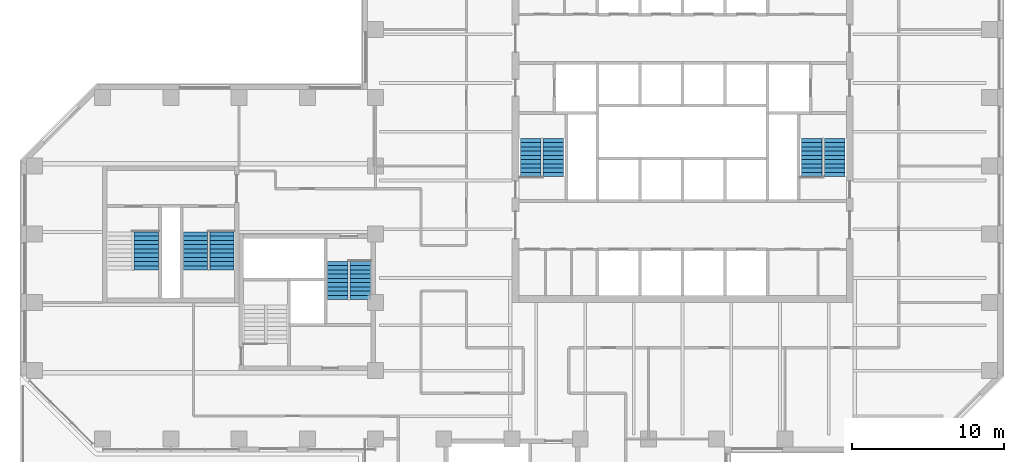
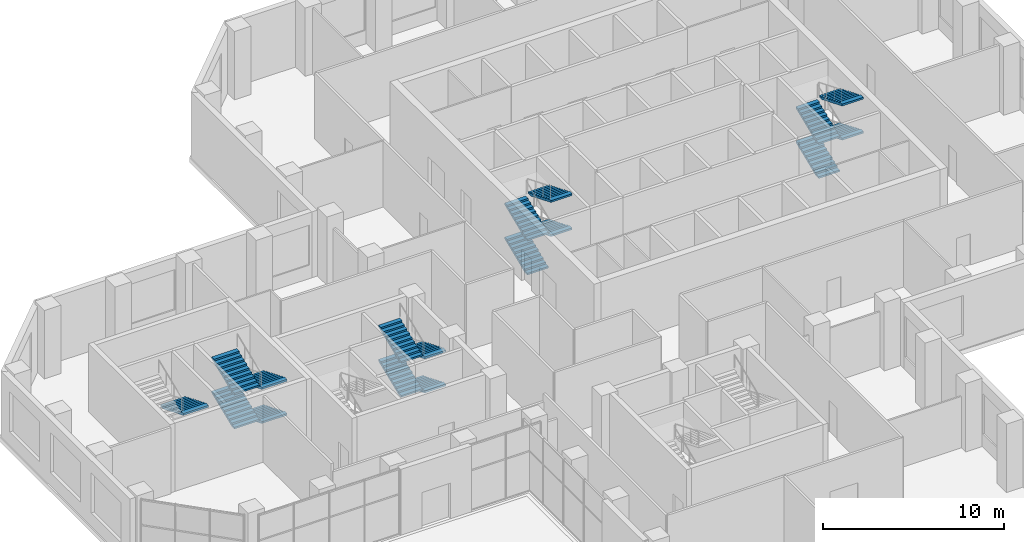
# One storey, part 12 of 14: 17 stair flights, 5 elements without a shape of their own.
"""IFC4 building model written with IfcOpenShell, lengths in metres."""

from ifc_helpers import new_model, si_unit, direction, frame, origin, place, context, subcontext, project, spatial, polyline, outline, extrude, material, type_object, element, aggregate, save


model = new_model("IFC4")

# Units and contexts
model_context = context("Model", 3, precision=1e-05, world=origin(), true_north=direction((0.0, 1.0)))
body_context = subcontext(model_context, "Body", "Model", "MODEL_VIEW")
ifc_project = project(units=[si_unit("LENGTHUNIT", "METRE"), si_unit("AREAUNIT", "SQUARE_METRE"), si_unit("VOLUMEUNIT", "CUBIC_METRE"), si_unit("PLANEANGLEUNIT", "RADIAN"), si_unit("MASSUNIT", "GRAM", prefix="KILO")], contexts=[model_context])

# Site, building, storey
site_placement = place(None, origin())
site = spatial("IfcSite", under=ifc_project, at=site_placement, CompositionType="ELEMENT")
building_placement = place(site_placement, origin())
building = spatial("IfcBuilding", under=site, at=building_placement, Name="Quoin Convention Tower", CompositionType="ELEMENT")
storey_placement = place(building_placement, frame((0.0, 0.0, 74.300048828125)))
storey = spatial("IfcBuildingStorey", under=building, at=storey_placement, Name="L19", CompositionType="ELEMENT", Elevation=74.300048828125)

# Stair, stair flights
ifc_material = material(Name="Concrete C40", Category="concrete")
stair_type_1 = type_object("IfcStairType", Name="Exit stair four-flight 1350", PredefinedType="DOUBLE_RETURN_STAIR", material=ifc_material)
stair_1_placement = place(storey_placement, origin())
stair_1 = element("IfcStair", 1, at=stair_1_placement, inside=storey, type_object=stair_type_1, Name="SD1 L19", PredefinedType="DOUBLE_RETURN_STAIR")
stair_flight_type_1 = type_object("IfcStairFlightType", Name="Stair flight 1350", PredefinedType="STRAIGHT", material=ifc_material)
stair_flight_1_placement = place(storey_placement, frame((46.22509765625, 57.800048828125, 0.0), z_axis=(0.0, 0.0, 1.0), x_axis=(0.0, 1.0, 0.0)))
stair_flight_1 = element("IfcStairFlight", 2, at=stair_flight_1_placement, type_object=stair_flight_type_1, Name="ST1 flight 1", NumberOfRisers=10, NumberOfTreads=9, PredefinedType="STRAIGHT", RiserHeight=0.115, TreadLength=0.28, context=body_context, shape_type="SweptSolid", body=[
    extrude(outline(polyline([(0.0, 0.0), (0.0, 0.114990234375), (0.280029296875, 0.114990234375), (0.280029296875, 0.22998046875), (0.56005859375, 0.22998046875), (0.56005859375, 0.344970703125), (0.840087890625, 0.344970703125), (0.840087890625, 0.4599609375), (1.1201171875, 0.4599609375), (1.1201171875, 0.574951171875), (1.39990234375, 0.574951171875), (1.39990234375, 0.68994140625), (1.679931640625, 0.68994140625), (1.679931640625, 0.804931640625), (1.9599609375, 0.804931640625), (1.9599609375, 0.919921875), (2.239990234375, 0.919921875), (2.239990234375, 1.034912109375), (2.52001953125, 1.034912109375), (2.52001953125, 1.14990234375), (2.52001953125, 0.905029296875), (0.316162109375, 0.0), (0.0, 0.0)])), frame((0.0, 0.675048828125, 0.0), z_axis=(0.0, -1.0, 0.0), x_axis=(1.0, 0.0, 0.0)), (0.0, 0.0, 1.0), 1.35009765625),
])
stair_flight_2_placement = place(storey_placement, frame((47.72509765625, 60.320068359375, 1.14990234375), z_axis=(0.0, 0.0, 1.0), x_axis=(0.0, -1.0, 0.0)))
stair_flight_2 = element("IfcStairFlight", 3, at=stair_flight_2_placement, type_object=stair_flight_type_1, Name="ST1 flight 2", NumberOfRisers=10, NumberOfTreads=9, PredefinedType="STRAIGHT", RiserHeight=0.115, TreadLength=0.28, context=body_context, shape_type="SweptSolid", body=[
    extrude(outline(polyline([(0.0, 0.0), (0.0, 0.114990234375), (0.280029296875, 0.114990234375), (0.280029296875, 0.22998046875), (0.56005859375, 0.22998046875), (0.56005859375, 0.344970703125), (0.840087890625, 0.344970703125), (0.840087890625, 0.4599609375), (1.1201171875, 0.4599609375), (1.1201171875, 0.574951171875), (1.39990234375, 0.574951171875), (1.39990234375, 0.68994140625), (1.679931640625, 0.68994140625), (1.679931640625, 0.804931640625), (1.9599609375, 0.804931640625), (1.9599609375, 0.919921875), (2.239990234375, 0.919921875), (2.239990234375, 1.034912109375), (2.52001953125, 1.034912109375), (2.52001953125, 1.14990234375), (2.52001953125, 0.905029296875), (0.316162109375, 0.0), (0.0, 0.0)])), frame((0.0, 0.675048828125, 0.0), z_axis=(0.0, -1.0, 0.0), x_axis=(1.0, 0.0, 0.0)), (0.0, 0.0, 1.0), 1.35009765625),
])
stair_flight_3_placement = place(storey_placement, frame((46.22509765625, 57.800048828125, 2.300048828125), z_axis=(0.0, 0.0, 1.0), x_axis=(0.0, 1.0, 0.0)))
stair_flight_3 = element("IfcStairFlight", 4, at=stair_flight_3_placement, type_object=stair_flight_type_1, Name="ST1 flight 3", NumberOfRisers=10, NumberOfTreads=9, PredefinedType="STRAIGHT", RiserHeight=0.115, TreadLength=0.28, context=body_context, shape_type="SweptSolid", body=[
    extrude(outline(polyline([(0.0, 0.0), (0.0, 0.114990234375), (0.280029296875, 0.114990234375), (0.280029296875, 0.22998046875), (0.56005859375, 0.22998046875), (0.56005859375, 0.344970703125), (0.840087890625, 0.344970703125), (0.840087890625, 0.4599609375), (1.1201171875, 0.4599609375), (1.1201171875, 0.574951171875), (1.39990234375, 0.574951171875), (1.39990234375, 0.68994140625), (1.679931640625, 0.68994140625), (1.679931640625, 0.804931640625), (1.9599609375, 0.804931640625), (1.9599609375, 0.919921875), (2.239990234375, 0.919921875), (2.239990234375, 1.034912109375), (2.52001953125, 1.034912109375), (2.52001953125, 1.14990234375), (2.52001953125, 0.905029296875), (0.316162109375, 0.0), (0.0, 0.0)])), frame((0.0, 0.675048828125, 0.0), z_axis=(0.0, -1.0, 0.0), x_axis=(1.0, 0.0, 0.0)), (0.0, 0.0, 1.0), 1.35009765625),
])
stair_flight_4_placement = place(storey_placement, frame((47.72509765625, 60.320068359375, 3.449951171875), z_axis=(0.0, 0.0, 1.0), x_axis=(0.0, -1.0, 0.0)))
stair_flight_4 = element("IfcStairFlight", 5, at=stair_flight_4_placement, type_object=stair_flight_type_1, Name="ST1 flight 4", NumberOfRisers=10, NumberOfTreads=9, PredefinedType="STRAIGHT", RiserHeight=0.115, TreadLength=0.28, context=body_context, shape_type="SweptSolid", body=[
    extrude(outline(polyline([(0.0, 0.0), (0.0, 0.114990234375), (0.280029296875, 0.114990234375), (0.280029296875, 0.22998046875), (0.56005859375, 0.22998046875), (0.56005859375, 0.344970703125), (0.840087890625, 0.344970703125), (0.840087890625, 0.4599609375), (1.1201171875, 0.4599609375), (1.1201171875, 0.574951171875), (1.39990234375, 0.574951171875), (1.39990234375, 0.68994140625), (1.679931640625, 0.68994140625), (1.679931640625, 0.804931640625), (1.9599609375, 0.804931640625), (1.9599609375, 0.919921875), (2.239990234375, 0.919921875), (2.239990234375, 1.034912109375), (2.52001953125, 1.034912109375), (2.52001953125, 1.14990234375), (2.52001953125, 0.905029296875), (0.316162109375, 0.0), (0.0, 0.0)])), frame((0.0, 0.675048828125, 0.0), z_axis=(0.0, -1.0, 0.0), x_axis=(1.0, 0.0, 0.0)), (0.0, 0.0, 1.0), 1.35009765625),
])
aggregate(stair_1, [stair_flight_1, stair_flight_2, stair_flight_3, stair_flight_4])

stair_2_placement = place(storey_placement, origin())
stair_2 = element("IfcStair", 6, at=stair_2_placement, inside=storey, type_object=stair_type_1, Name="SD2 L19", PredefinedType="DOUBLE_RETURN_STAIR")
stair_flight_5_placement = place(storey_placement, frame((64.77490234375, 57.800048828125, 0.0), z_axis=(0.0, 0.0, 1.0), x_axis=(0.0, 1.0, 0.0)))
stair_flight_5 = element("IfcStairFlight", 7, at=stair_flight_5_placement, type_object=stair_flight_type_1, Name="ST2 flight 1", NumberOfRisers=10, NumberOfTreads=9, PredefinedType="STRAIGHT", RiserHeight=0.115, TreadLength=0.28, context=body_context, shape_type="SweptSolid", body=[
    extrude(outline(polyline([(0.0, 0.0), (0.0, 0.114990234375), (0.280029296875, 0.114990234375), (0.280029296875, 0.22998046875), (0.56005859375, 0.22998046875), (0.56005859375, 0.344970703125), (0.840087890625, 0.344970703125), (0.840087890625, 0.4599609375), (1.1201171875, 0.4599609375), (1.1201171875, 0.574951171875), (1.39990234375, 0.574951171875), (1.39990234375, 0.68994140625), (1.679931640625, 0.68994140625), (1.679931640625, 0.804931640625), (1.9599609375, 0.804931640625), (1.9599609375, 0.919921875), (2.239990234375, 0.919921875), (2.239990234375, 1.034912109375), (2.52001953125, 1.034912109375), (2.52001953125, 1.14990234375), (2.52001953125, 0.905029296875), (0.316162109375, 0.0), (0.0, 0.0)])), frame((0.0, 0.675048828125, 0.0), z_axis=(0.0, -1.0, 0.0), x_axis=(1.0, 0.0, 0.0)), (0.0, 0.0, 1.0), 1.35009765625),
])
stair_flight_6_placement = place(storey_placement, frame((66.27490234375, 60.320068359375, 1.14990234375), z_axis=(0.0, 0.0, 1.0), x_axis=(0.0, -1.0, 0.0)))
stair_flight_6 = element("IfcStairFlight", 8, at=stair_flight_6_placement, type_object=stair_flight_type_1, Name="ST2 flight 2", NumberOfRisers=10, NumberOfTreads=9, PredefinedType="STRAIGHT", RiserHeight=0.115, TreadLength=0.28, context=body_context, shape_type="SweptSolid", body=[
    extrude(outline(polyline([(0.0, 0.0), (0.0, 0.114990234375), (0.280029296875, 0.114990234375), (0.280029296875, 0.22998046875), (0.56005859375, 0.22998046875), (0.56005859375, 0.344970703125), (0.840087890625, 0.344970703125), (0.840087890625, 0.4599609375), (1.1201171875, 0.4599609375), (1.1201171875, 0.574951171875), (1.39990234375, 0.574951171875), (1.39990234375, 0.68994140625), (1.679931640625, 0.68994140625), (1.679931640625, 0.804931640625), (1.9599609375, 0.804931640625), (1.9599609375, 0.919921875), (2.239990234375, 0.919921875), (2.239990234375, 1.034912109375), (2.52001953125, 1.034912109375), (2.52001953125, 1.14990234375), (2.52001953125, 0.905029296875), (0.316162109375, 0.0), (0.0, 0.0)])), frame((0.0, 0.675048828125, 0.0), z_axis=(0.0, -1.0, 0.0), x_axis=(1.0, 0.0, 0.0)), (0.0, 0.0, 1.0), 1.35009765625),
])
stair_flight_7_placement = place(storey_placement, frame((64.77490234375, 57.800048828125, 2.300048828125), z_axis=(0.0, 0.0, 1.0), x_axis=(0.0, 1.0, 0.0)))
stair_flight_7 = element("IfcStairFlight", 9, at=stair_flight_7_placement, type_object=stair_flight_type_1, Name="ST2 flight 3", NumberOfRisers=10, NumberOfTreads=9, PredefinedType="STRAIGHT", RiserHeight=0.115, TreadLength=0.28, context=body_context, shape_type="SweptSolid", body=[
    extrude(outline(polyline([(0.0, 0.0), (0.0, 0.114990234375), (0.280029296875, 0.114990234375), (0.280029296875, 0.22998046875), (0.56005859375, 0.22998046875), (0.56005859375, 0.344970703125), (0.840087890625, 0.344970703125), (0.840087890625, 0.4599609375), (1.1201171875, 0.4599609375), (1.1201171875, 0.574951171875), (1.39990234375, 0.574951171875), (1.39990234375, 0.68994140625), (1.679931640625, 0.68994140625), (1.679931640625, 0.804931640625), (1.9599609375, 0.804931640625), (1.9599609375, 0.919921875), (2.239990234375, 0.919921875), (2.239990234375, 1.034912109375), (2.52001953125, 1.034912109375), (2.52001953125, 1.14990234375), (2.52001953125, 0.905029296875), (0.316162109375, 0.0), (0.0, 0.0)])), frame((0.0, 0.675048828125, 0.0), z_axis=(0.0, -1.0, 0.0), x_axis=(1.0, 0.0, 0.0)), (0.0, 0.0, 1.0), 1.35009765625),
])
stair_flight_8_placement = place(storey_placement, frame((66.27490234375, 60.320068359375, 3.449951171875), z_axis=(0.0, 0.0, 1.0), x_axis=(0.0, -1.0, 0.0)))
stair_flight_8 = element("IfcStairFlight", 10, at=stair_flight_8_placement, type_object=stair_flight_type_1, Name="ST2 flight 4", NumberOfRisers=10, NumberOfTreads=9, PredefinedType="STRAIGHT", RiserHeight=0.115, TreadLength=0.28, context=body_context, shape_type="SweptSolid", body=[
    extrude(outline(polyline([(0.0, 0.0), (0.0, 0.114990234375), (0.280029296875, 0.114990234375), (0.280029296875, 0.22998046875), (0.56005859375, 0.22998046875), (0.56005859375, 0.344970703125), (0.840087890625, 0.344970703125), (0.840087890625, 0.4599609375), (1.1201171875, 0.4599609375), (1.1201171875, 0.574951171875), (1.39990234375, 0.574951171875), (1.39990234375, 0.68994140625), (1.679931640625, 0.68994140625), (1.679931640625, 0.804931640625), (1.9599609375, 0.804931640625), (1.9599609375, 0.919921875), (2.239990234375, 0.919921875), (2.239990234375, 1.034912109375), (2.52001953125, 1.034912109375), (2.52001953125, 1.14990234375), (2.52001953125, 0.905029296875), (0.316162109375, 0.0), (0.0, 0.0)])), frame((0.0, 0.675048828125, 0.0), z_axis=(0.0, -1.0, 0.0), x_axis=(1.0, 0.0, 0.0)), (0.0, 0.0, 1.0), 1.35009765625),
])
aggregate(stair_2, [stair_flight_5, stair_flight_6, stair_flight_7, stair_flight_8])

stair_3_placement = place(storey_placement, origin())
stair_3 = element("IfcStair", 11, at=stair_3_placement, inside=storey, type_object=stair_type_1, Name="SD4 L19", PredefinedType="DOUBLE_RETURN_STAIR")
stair_flight_9_placement = place(storey_placement, frame((35.0, 52.199951171875, 0.0), z_axis=(0.0, 0.0, 1.0), x_axis=(0.0, -1.0, 0.0)))
stair_flight_9 = element("IfcStairFlight", 12, at=stair_flight_9_placement, type_object=stair_flight_type_1, Name="ST4 flight 1", NumberOfRisers=10, NumberOfTreads=9, PredefinedType="STRAIGHT", RiserHeight=0.115, TreadLength=0.28, context=body_context, shape_type="SweptSolid", body=[
    extrude(outline(polyline([(0.0, 0.0), (0.0, 0.114990234375), (0.280029296875, 0.114990234375), (0.280029296875, 0.22998046875), (0.56005859375, 0.22998046875), (0.56005859375, 0.344970703125), (0.840087890625, 0.344970703125), (0.840087890625, 0.4599609375), (1.1201171875, 0.4599609375), (1.1201171875, 0.574951171875), (1.39990234375, 0.574951171875), (1.39990234375, 0.68994140625), (1.679931640625, 0.68994140625), (1.679931640625, 0.804931640625), (1.9599609375, 0.804931640625), (1.9599609375, 0.919921875), (2.239990234375, 0.919921875), (2.239990234375, 1.034912109375), (2.52001953125, 1.034912109375), (2.52001953125, 1.14990234375), (2.52001953125, 0.905029296875), (0.316162109375, 0.0), (0.0, 0.0)])), frame((0.0, 0.675048828125, 0.0), z_axis=(0.0, -1.0, 0.0), x_axis=(1.0, 0.0, 0.0)), (0.0, 0.0, 1.0), 1.35009765625),
])
stair_flight_10_placement = place(storey_placement, frame((33.5, 49.679931640625, 1.14990234375), z_axis=(0.0, 0.0, 1.0), x_axis=(0.0, 1.0, 0.0)))
stair_flight_10 = element("IfcStairFlight", 13, at=stair_flight_10_placement, type_object=stair_flight_type_1, Name="ST4 flight 2", NumberOfRisers=10, NumberOfTreads=9, PredefinedType="STRAIGHT", RiserHeight=0.115, TreadLength=0.28, context=body_context, shape_type="SweptSolid", body=[
    extrude(outline(polyline([(0.0, 0.0), (0.0, 0.114990234375), (0.280029296875, 0.114990234375), (0.280029296875, 0.22998046875), (0.56005859375, 0.22998046875), (0.56005859375, 0.344970703125), (0.840087890625, 0.344970703125), (0.840087890625, 0.4599609375), (1.1201171875, 0.4599609375), (1.1201171875, 0.574951171875), (1.39990234375, 0.574951171875), (1.39990234375, 0.68994140625), (1.679931640625, 0.68994140625), (1.679931640625, 0.804931640625), (1.9599609375, 0.804931640625), (1.9599609375, 0.919921875), (2.239990234375, 0.919921875), (2.239990234375, 1.034912109375), (2.52001953125, 1.034912109375), (2.52001953125, 1.14990234375), (2.52001953125, 0.905029296875), (0.316162109375, 0.0), (0.0, 0.0)])), frame((0.0, 0.675048828125, 0.0), z_axis=(0.0, -1.0, 0.0), x_axis=(1.0, 0.0, 0.0)), (0.0, 0.0, 1.0), 1.35009765625),
])
stair_flight_11_placement = place(storey_placement, frame((35.0, 52.199951171875, 2.300048828125), z_axis=(0.0, 0.0, 1.0), x_axis=(0.0, -1.0, 0.0)))
stair_flight_11 = element("IfcStairFlight", 14, at=stair_flight_11_placement, type_object=stair_flight_type_1, Name="ST4 flight 3", NumberOfRisers=10, NumberOfTreads=9, PredefinedType="STRAIGHT", RiserHeight=0.115, TreadLength=0.28, context=body_context, shape_type="SweptSolid", body=[
    extrude(outline(polyline([(0.0, 0.0), (0.0, 0.114990234375), (0.280029296875, 0.114990234375), (0.280029296875, 0.22998046875), (0.56005859375, 0.22998046875), (0.56005859375, 0.344970703125), (0.840087890625, 0.344970703125), (0.840087890625, 0.4599609375), (1.1201171875, 0.4599609375), (1.1201171875, 0.574951171875), (1.39990234375, 0.574951171875), (1.39990234375, 0.68994140625), (1.679931640625, 0.68994140625), (1.679931640625, 0.804931640625), (1.9599609375, 0.804931640625), (1.9599609375, 0.919921875), (2.239990234375, 0.919921875), (2.239990234375, 1.034912109375), (2.52001953125, 1.034912109375), (2.52001953125, 1.14990234375), (2.52001953125, 0.905029296875), (0.316162109375, 0.0), (0.0, 0.0)])), frame((0.0, 0.675048828125, 0.0), z_axis=(0.0, -1.0, 0.0), x_axis=(1.0, 0.0, 0.0)), (0.0, 0.0, 1.0), 1.35009765625),
])
stair_flight_12_placement = place(storey_placement, frame((33.5, 49.679931640625, 3.449951171875), z_axis=(0.0, 0.0, 1.0), x_axis=(0.0, 1.0, 0.0)))
stair_flight_12 = element("IfcStairFlight", 15, at=stair_flight_12_placement, type_object=stair_flight_type_1, Name="ST4 flight 4", NumberOfRisers=10, NumberOfTreads=9, PredefinedType="STRAIGHT", RiserHeight=0.115, TreadLength=0.28, context=body_context, shape_type="SweptSolid", body=[
    extrude(outline(polyline([(0.0, 0.0), (0.0, 0.114990234375), (0.280029296875, 0.114990234375), (0.280029296875, 0.22998046875), (0.56005859375, 0.22998046875), (0.56005859375, 0.344970703125), (0.840087890625, 0.344970703125), (0.840087890625, 0.4599609375), (1.1201171875, 0.4599609375), (1.1201171875, 0.574951171875), (1.39990234375, 0.574951171875), (1.39990234375, 0.68994140625), (1.679931640625, 0.68994140625), (1.679931640625, 0.804931640625), (1.9599609375, 0.804931640625), (1.9599609375, 0.919921875), (2.239990234375, 0.919921875), (2.239990234375, 1.034912109375), (2.52001953125, 1.034912109375), (2.52001953125, 1.14990234375), (2.52001953125, 0.905029296875), (0.316162109375, 0.0), (0.0, 0.0)])), frame((0.0, 0.675048828125, 0.0), z_axis=(0.0, -1.0, 0.0), x_axis=(1.0, 0.0, 0.0)), (0.0, 0.0, 1.0), 1.35009765625),
])
aggregate(stair_3, [stair_flight_9, stair_flight_10, stair_flight_11, stair_flight_12])

# Stair, stair flight
stair_type_2 = type_object("IfcStairType", Name="Exit stair four-flight 1600", PredefinedType="DOUBLE_RETURN_STAIR", material=ifc_material)
stair_4_placement = place(storey_placement, origin())
stair_4 = element("IfcStair", 16, at=stair_4_placement, inside=storey, type_object=stair_type_2, Name="SD11 L19", PredefinedType="DOUBLE_RETURN_STAIR")
stair_flight_type_2 = type_object("IfcStairFlightType", Name="Stair flight 1600", PredefinedType="STRAIGHT", material=ifc_material)
stair_flight_13_placement = place(storey_placement, frame((20.875, 54.14990234375, 2.300048828125), z_axis=(0.0, 0.0, 1.0), x_axis=(0.0, -1.0, 0.0)))
stair_flight_13 = element("IfcStairFlight", 17, at=stair_flight_13_placement, type_object=stair_flight_type_2, Name="ST11 flight 3", NumberOfRisers=10, NumberOfTreads=9, PredefinedType="STRAIGHT", RiserHeight=0.115, TreadLength=0.28, context=body_context, shape_type="SweptSolid", body=[
    extrude(outline(polyline([(0.0, 0.0), (0.0, 0.114990234375), (0.280029296875, 0.114990234375), (0.280029296875, 0.22998046875), (0.56005859375, 0.22998046875), (0.56005859375, 0.344970703125), (0.840087890625, 0.344970703125), (0.840087890625, 0.4599609375), (1.1201171875, 0.4599609375), (1.1201171875, 0.574951171875), (1.39990234375, 0.574951171875), (1.39990234375, 0.68994140625), (1.679931640625, 0.68994140625), (1.679931640625, 0.804931640625), (1.9599609375, 0.804931640625), (1.9599609375, 0.919921875), (2.239990234375, 0.919921875), (2.239990234375, 1.034912109375), (2.52001953125, 1.034912109375), (2.52001953125, 1.14990234375), (2.52001953125, 0.905029296875), (0.316162109375, 0.0), (0.0, 0.0)])), frame((0.0, 0.800048828125, 0.0), z_axis=(0.0, -1.0, 0.0), x_axis=(1.0, 0.0, 0.0)), (0.0, 0.0, 1.0), 1.60009765625),
])
aggregate(stair_4, [stair_flight_13])

# Stair, stair flights
stair_5_placement = place(storey_placement, origin())
stair_5 = element("IfcStair", 18, at=stair_5_placement, inside=storey, type_object=stair_type_2, Name="SD12 L19", PredefinedType="DOUBLE_RETURN_STAIR")
stair_flight_14_placement = place(storey_placement, frame((25.875, 54.14990234375, 0.0), z_axis=(0.0, 0.0, 1.0), x_axis=(0.0, -1.0, 0.0)))
stair_flight_14 = element("IfcStairFlight", 19, at=stair_flight_14_placement, type_object=stair_flight_type_2, Name="ST12 flight 1", NumberOfRisers=10, NumberOfTreads=9, PredefinedType="STRAIGHT", RiserHeight=0.115, TreadLength=0.28, context=body_context, shape_type="SweptSolid", body=[
    extrude(outline(polyline([(0.0, 0.0), (0.0, 0.114990234375), (0.280029296875, 0.114990234375), (0.280029296875, 0.22998046875), (0.56005859375, 0.22998046875), (0.56005859375, 0.344970703125), (0.840087890625, 0.344970703125), (0.840087890625, 0.4599609375), (1.1201171875, 0.4599609375), (1.1201171875, 0.574951171875), (1.39990234375, 0.574951171875), (1.39990234375, 0.68994140625), (1.679931640625, 0.68994140625), (1.679931640625, 0.804931640625), (1.9599609375, 0.804931640625), (1.9599609375, 0.919921875), (2.239990234375, 0.919921875), (2.239990234375, 1.034912109375), (2.52001953125, 1.034912109375), (2.52001953125, 1.14990234375), (2.52001953125, 0.905029296875), (0.316162109375, 0.0), (0.0, 0.0)])), frame((0.0, 0.800048828125, 0.0), z_axis=(0.0, -1.0, 0.0), x_axis=(1.0, 0.0, 0.0)), (0.0, 0.0, 1.0), 1.60009765625),
])
stair_flight_15_placement = place(storey_placement, frame((24.125, 51.6298828125, 1.14990234375), z_axis=(0.0, 0.0, 1.0), x_axis=(0.0, 1.0, 0.0)))
stair_flight_15 = element("IfcStairFlight", 20, at=stair_flight_15_placement, type_object=stair_flight_type_2, Name="ST12 flight 2", NumberOfRisers=10, NumberOfTreads=9, PredefinedType="STRAIGHT", RiserHeight=0.115, TreadLength=0.28, context=body_context, shape_type="SweptSolid", body=[
    extrude(outline(polyline([(0.0, 0.0), (0.0, 0.114990234375), (0.280029296875, 0.114990234375), (0.280029296875, 0.22998046875), (0.56005859375, 0.22998046875), (0.56005859375, 0.344970703125), (0.840087890625, 0.344970703125), (0.840087890625, 0.4599609375), (1.1201171875, 0.4599609375), (1.1201171875, 0.574951171875), (1.39990234375, 0.574951171875), (1.39990234375, 0.68994140625), (1.679931640625, 0.68994140625), (1.679931640625, 0.804931640625), (1.9599609375, 0.804931640625), (1.9599609375, 0.919921875), (2.239990234375, 0.919921875), (2.239990234375, 1.034912109375), (2.52001953125, 1.034912109375), (2.52001953125, 1.14990234375), (2.52001953125, 0.905029296875), (0.316162109375, 0.0), (0.0, 0.0)])), frame((0.0, 0.800048828125, 0.0), z_axis=(0.0, -1.0, 0.0), x_axis=(1.0, 0.0, 0.0)), (0.0, 0.0, 1.0), 1.60009765625),
])
stair_flight_16_placement = place(storey_placement, frame((25.875, 54.14990234375, 2.300048828125), z_axis=(0.0, 0.0, 1.0), x_axis=(0.0, -1.0, 0.0)))
stair_flight_16 = element("IfcStairFlight", 21, at=stair_flight_16_placement, type_object=stair_flight_type_2, Name="ST12 flight 3", NumberOfRisers=10, NumberOfTreads=9, PredefinedType="STRAIGHT", RiserHeight=0.115, TreadLength=0.28, context=body_context, shape_type="SweptSolid", body=[
    extrude(outline(polyline([(0.0, 0.0), (0.0, 0.114990234375), (0.280029296875, 0.114990234375), (0.280029296875, 0.22998046875), (0.56005859375, 0.22998046875), (0.56005859375, 0.344970703125), (0.840087890625, 0.344970703125), (0.840087890625, 0.4599609375), (1.1201171875, 0.4599609375), (1.1201171875, 0.574951171875), (1.39990234375, 0.574951171875), (1.39990234375, 0.68994140625), (1.679931640625, 0.68994140625), (1.679931640625, 0.804931640625), (1.9599609375, 0.804931640625), (1.9599609375, 0.919921875), (2.239990234375, 0.919921875), (2.239990234375, 1.034912109375), (2.52001953125, 1.034912109375), (2.52001953125, 1.14990234375), (2.52001953125, 0.905029296875), (0.316162109375, 0.0), (0.0, 0.0)])), frame((0.0, 0.800048828125, 0.0), z_axis=(0.0, -1.0, 0.0), x_axis=(1.0, 0.0, 0.0)), (0.0, 0.0, 1.0), 1.60009765625),
])
stair_flight_17_placement = place(storey_placement, frame((24.125, 51.6298828125, 3.449951171875), z_axis=(0.0, 0.0, 1.0), x_axis=(0.0, 1.0, 0.0)))
stair_flight_17 = element("IfcStairFlight", 22, at=stair_flight_17_placement, type_object=stair_flight_type_2, Name="ST12 flight 4", NumberOfRisers=10, NumberOfTreads=9, PredefinedType="STRAIGHT", RiserHeight=0.115, TreadLength=0.28, context=body_context, shape_type="SweptSolid", body=[
    extrude(outline(polyline([(0.0, 0.0), (0.0, 0.114990234375), (0.280029296875, 0.114990234375), (0.280029296875, 0.22998046875), (0.56005859375, 0.22998046875), (0.56005859375, 0.344970703125), (0.840087890625, 0.344970703125), (0.840087890625, 0.4599609375), (1.1201171875, 0.4599609375), (1.1201171875, 0.574951171875), (1.39990234375, 0.574951171875), (1.39990234375, 0.68994140625), (1.679931640625, 0.68994140625), (1.679931640625, 0.804931640625), (1.9599609375, 0.804931640625), (1.9599609375, 0.919921875), (2.239990234375, 0.919921875), (2.239990234375, 1.034912109375), (2.52001953125, 1.034912109375), (2.52001953125, 1.14990234375), (2.52001953125, 0.905029296875), (0.316162109375, 0.0), (0.0, 0.0)])), frame((0.0, 0.800048828125, 0.0), z_axis=(0.0, -1.0, 0.0), x_axis=(1.0, 0.0, 0.0)), (0.0, 0.0, 1.0), 1.60009765625),
])
aggregate(stair_5, [stair_flight_14, stair_flight_15, stair_flight_16, stair_flight_17])

save(model, "model.ifc")
